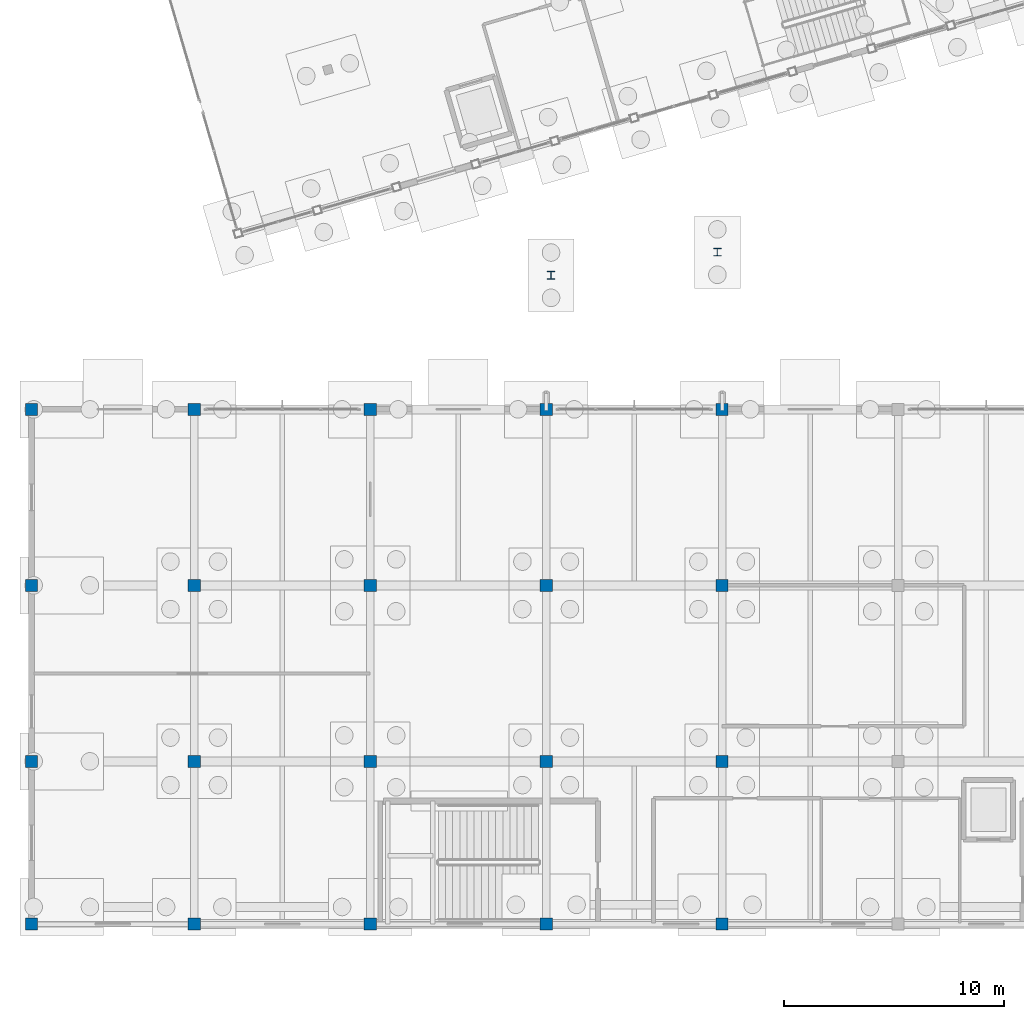
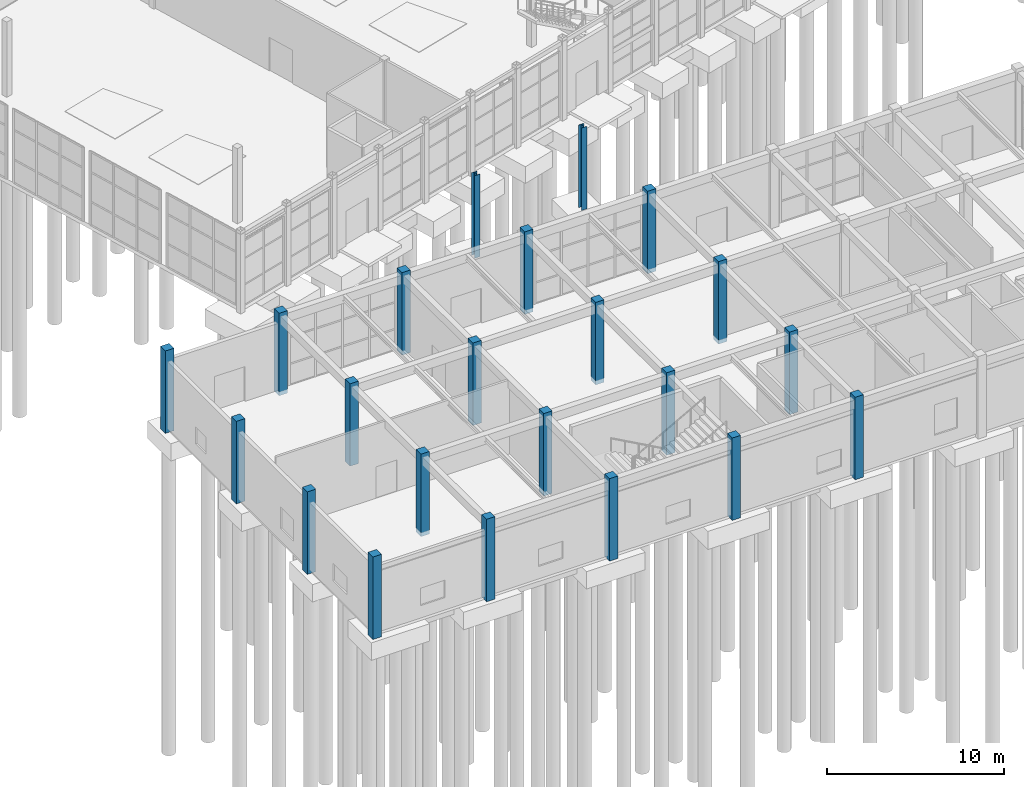
# One storey, part 5 of 90: 22 columns.
"""IFC4 building model written with IfcOpenShell, lengths in metres."""

from ifc_helpers import new_model, si_unit, direction, frame, origin, origin_2d, place, context, subcontext, project, spatial, rectangle, i_section, extrude, material, material_profile, profile_set, type_object, element, save


model = new_model("IFC4")

# Units and contexts
model_context = context("Model", 3, precision=1e-05, world=origin(), true_north=direction((0.0, 1.0)))
body_context = subcontext(model_context, "Body", "Model", "MODEL_VIEW")
ifc_project = project(units=[si_unit("LENGTHUNIT", "METRE"), si_unit("AREAUNIT", "SQUARE_METRE"), si_unit("VOLUMEUNIT", "CUBIC_METRE"), si_unit("PLANEANGLEUNIT", "RADIAN"), si_unit("MASSUNIT", "GRAM", prefix="KILO")], contexts=[model_context])

# Site, building, storey
site_placement = place(None, origin())
site = spatial("IfcSite", under=ifc_project, at=site_placement, CompositionType="ELEMENT")
building_placement = place(site_placement, origin())
building = spatial("IfcBuilding", under=site, at=building_placement, Name="Canggui Botanical Conservatory", CompositionType="ELEMENT")
storey_placement = place(building_placement, origin())
storey = spatial("IfcBuildingStorey", under=building, at=storey_placement, Name="L01", CompositionType="ELEMENT", Elevation=0.0)

# Columns
ifc_material_1 = material(Name="Steel Q355B", Category="steel")
ifc_material_profile_1 = material_profile(ifc_material_1, i_section(OverallWidth=0.35009765625, OverallDepth=0.35009765625, WebThickness=0.011962890625, FlangeThickness=0.01904296875, FilletRadius=0.02001953125, at=origin_2d()), Name="HW 350x350x12x19")
ifc_profile_set_1 = profile_set([ifc_material_profile_1], Name="Steel Q355B")
column_type_1 = type_object("IfcColumnType", Name="COL-GZ04", PredefinedType="COLUMN", material=ifc_profile_set_1)
for number, where, z_axis, x_axis, name in (
    (1, (34.219970703125, 40.10009765625, -0.280029296875), (0.0, 0.0, 1.0), (1.0, 0.0, 0.0), "Skybridge Portal Steel Column (34.22,40.1)"),
    (2, (41.780029296875, 41.14990234375, -0.280029296875), (0.0, 0.0, 1.0), (1.0, 0.0, 0.0), "Skybridge Portal Steel Column (41.78,41.15)"),
):
    element("IfcColumn", number, at=place(storey_placement, frame(where, z_axis=z_axis, x_axis=x_axis)), inside=storey, type_object=column_type_1, Name=name, PredefinedType="COLUMN", context=body_context, shape_type="SweptSolid", body=[
        extrude(i_section(OverallWidth=0.35009765625, OverallDepth=0.35009765625, WebThickness=0.011962890625, FlangeThickness=0.01904296875, FilletRadius=0.02001953125, at=origin_2d()), origin(), (0.0, 0.0, 1.0), 5.679931640625),
    ])
ifc_material_2 = material(Name="Concrete C35", Category="concrete")
ifc_material_profile_2 = material_profile(ifc_material_2, rectangle(XDim=0.550048828125, YDim=0.550048828125, at=origin_2d()), Name="RC 550x550")
ifc_profile_set_2 = profile_set([ifc_material_profile_2], Name="Concrete C35")
column_type_2 = type_object("IfcColumnType", Name="COL-KZ12", PredefinedType="COLUMN", material=ifc_profile_set_2)
for number, where, z_axis, x_axis, name in (
    (3, (10.60009765625, 10.60009765625, -0.280029296875), (0.0, 0.0, 1.0), (1.0, 0.0, 0.0), "Visitor Centre Column L01 (10,10)"),
    (4, (10.60009765625, 18.0, -0.280029296875), (0.0, 0.0, 1.0), (1.0, 0.0, 0.0), "Visitor Centre Column L01 (10,18)"),
    (5, (10.60009765625, 26.0, -0.280029296875), (0.0, 0.0, 1.0), (1.0, 0.0, 0.0), "Visitor Centre Column L01 (10,26)"),
    (6, (10.60009765625, 34.0, -0.280029296875), (0.0, 0.0, 1.0), (1.0, 0.0, 0.0), "Visitor Centre Column L01 (10,34)"),
    (7, (18.0, 10.60009765625, -0.280029296875), (0.0, 0.0, 1.0), (1.0, 0.0, 0.0), "Visitor Centre Column L01 (18,10)"),
    (8, (18.0, 18.0, -0.280029296875), (0.0, 0.0, 1.0), (1.0, 0.0, 0.0), "Visitor Centre Column L01 (18,18)"),
    (9, (18.0, 26.0, -0.280029296875), (0.0, 0.0, 1.0), (1.0, 0.0, 0.0), "Visitor Centre Column L01 (18,26)"),
    (10, (18.0, 34.0, -0.280029296875), (0.0, 0.0, 1.0), (1.0, 0.0, 0.0), "Visitor Centre Column L01 (18,34)"),
    (11, (26.0, 10.60009765625, -0.280029296875), (0.0, 0.0, 1.0), (1.0, 0.0, 0.0), "Visitor Centre Column L01 (26,10)"),
    (12, (26.0, 18.0, -0.280029296875), (0.0, 0.0, 1.0), (1.0, 0.0, 0.0), "Visitor Centre Column L01 (26,18)"),
    (13, (26.0, 26.0, -0.280029296875), (0.0, 0.0, 1.0), (1.0, 0.0, 0.0), "Visitor Centre Column L01 (26,26)"),
    (14, (26.0, 34.0, -0.280029296875), (0.0, 0.0, 1.0), (1.0, 0.0, 0.0), "Visitor Centre Column L01 (26,34)"),
    (15, (34.0, 10.60009765625, -0.280029296875), (0.0, 0.0, 1.0), (1.0, 0.0, 0.0), "Visitor Centre Column L01 (34,10)"),
    (16, (34.0, 18.0, -0.280029296875), (0.0, 0.0, 1.0), (1.0, 0.0, 0.0), "Visitor Centre Column L01 (34,18)"),
    (17, (34.0, 26.0, -0.280029296875), (0.0, 0.0, 1.0), (1.0, 0.0, 0.0), "Visitor Centre Column L01 (34,26)"),
    (18, (34.0, 34.0, -0.280029296875), (0.0, 0.0, 1.0), (1.0, 0.0, 0.0), "Visitor Centre Column L01 (34,34)"),
    (19, (42.0, 10.60009765625, -0.280029296875), (0.0, 0.0, 1.0), (1.0, 0.0, 0.0), "Visitor Centre Column L01 (42,10)"),
    (20, (42.0, 18.0, -0.280029296875), (0.0, 0.0, 1.0), (1.0, 0.0, 0.0), "Visitor Centre Column L01 (42,18)"),
    (21, (42.0, 26.0, -0.280029296875), (0.0, 0.0, 1.0), (1.0, 0.0, 0.0), "Visitor Centre Column L01 (42,26)"),
    (22, (42.0, 34.0, -0.280029296875), (0.0, 0.0, 1.0), (1.0, 0.0, 0.0), "Visitor Centre Column L01 (42,34)"),
):
    element("IfcColumn", number, at=place(storey_placement, frame(where, z_axis=z_axis, x_axis=x_axis)), inside=storey, type_object=column_type_2, Name=name, PredefinedType="COLUMN", context=body_context, shape_type="SweptSolid", body=[
        extrude(rectangle(XDim=0.550048828125, YDim=0.550048828125, at=origin_2d()), origin(), (0.0, 0.0, 1.0), 5.679931640625),
    ])

save(model, "model.ifc")
